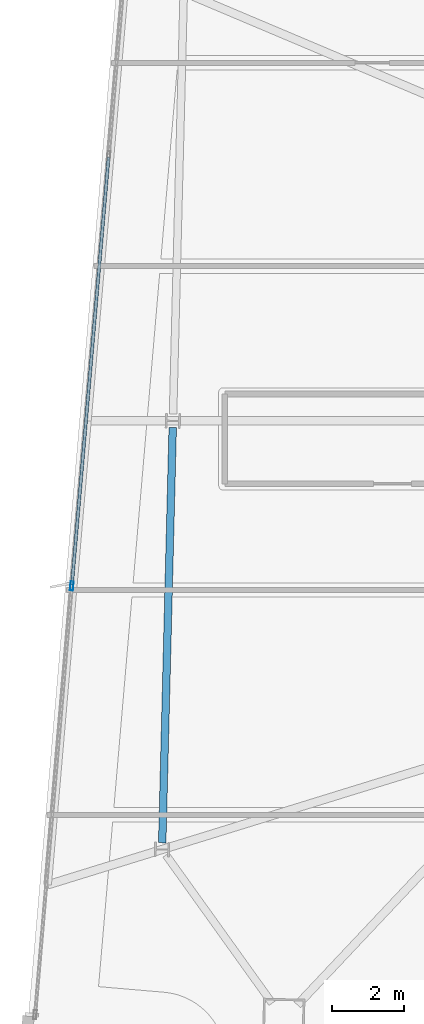
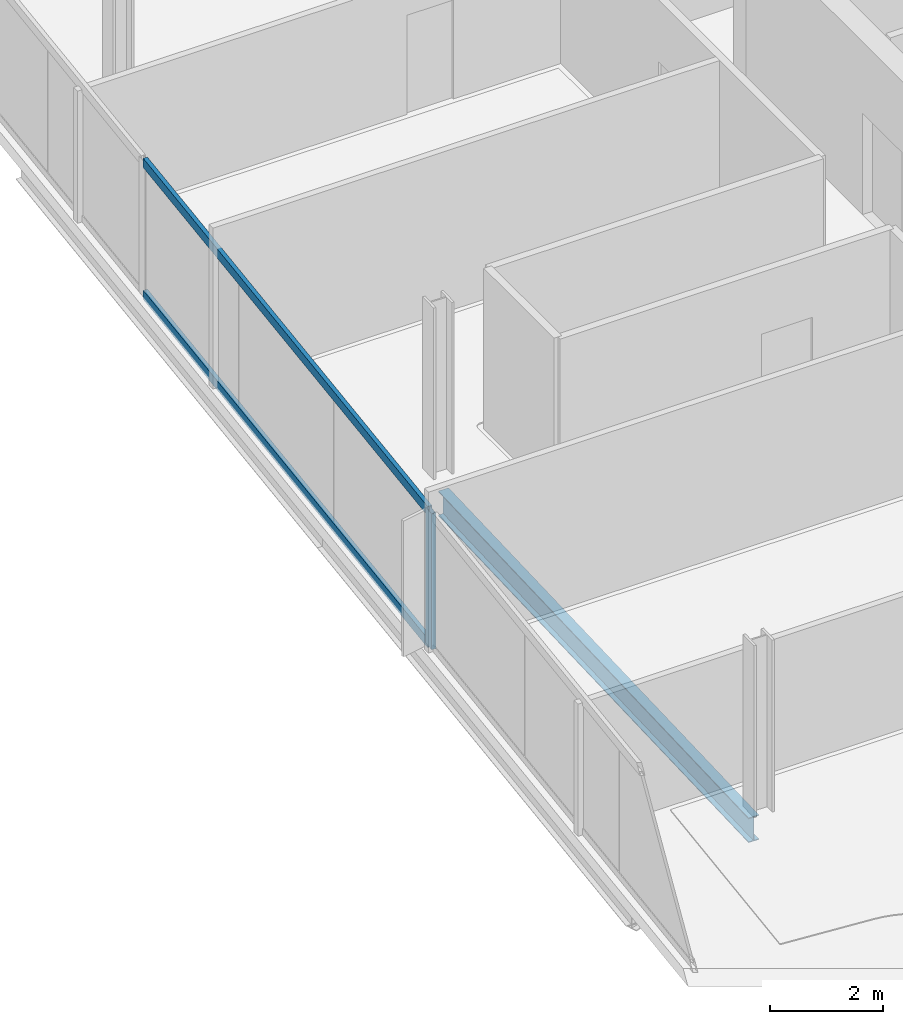
# One storey, part 6 of 24: 3 members, 1 beam, 1 element without a shape of its own.
"""IFC4 building model written with IfcOpenShell, lengths in metres."""

from ifc_helpers import new_model, si_unit, direction, frame, origin, origin_2d, place, context, subcontext, project, spatial, hollow_rectangle, i_section, extrude, material, material_profile, profile_set, type_object, element, aggregate, save


model = new_model("IFC4")

# Units and contexts
model_context = context("Model", 3, precision=1e-05, world=origin(), true_north=direction((0.0, 1.0)))
body_context = subcontext(model_context, "Body", "Model", "MODEL_VIEW")
ifc_project = project(units=[si_unit("LENGTHUNIT", "METRE"), si_unit("AREAUNIT", "SQUARE_METRE"), si_unit("VOLUMEUNIT", "CUBIC_METRE"), si_unit("PLANEANGLEUNIT", "RADIAN"), si_unit("MASSUNIT", "GRAM", prefix="KILO")], contexts=[model_context])

# Site, building, storey
site_placement = place(None, origin())
site = spatial("IfcSite", under=ifc_project, at=site_placement, CompositionType="ELEMENT")
building_placement = place(site_placement, origin())
building = spatial("IfcBuilding", under=site, at=building_placement, Name="Haldenkirk Collegiate Tower", CompositionType="ELEMENT")
storey_placement = place(building_placement, frame((0.0, 0.0, 313.949951171875)))
storey = spatial("IfcBuildingStorey", under=building, at=storey_placement, Name="L79", CompositionType="ELEMENT", Elevation=313.949951171875)

# Beam
ifc_material_1 = material(Name="Steel ASTM A992 Grade 50", Category="steel")
ifc_material_profile_1 = material_profile(ifc_material_1, i_section(OverallWidth=0.2099609375, OverallDepth=0.537109375, WebThickness=0.010986328125, FlangeThickness=0.017333984375, at=origin_2d()), Name="W21X68")
ifc_profile_set_1 = profile_set([ifc_material_profile_1], Name="Steel ASTM A992 Grade 50")
beam_type = type_object("IfcBeamType", Name="BM-SPANDREL-W21X68", PredefinedType="SPANDREL", material=ifc_profile_set_1)
beam_placement = place(storey_placement, frame((16.25146484375, 26.31201171875, -0.528564453125), z_axis=(-0.02528078186, -0.999680389959, 0.0), x_axis=(0.999680389959, -0.02528078186, 0.0)))
element("IfcBeam", 1, at=beam_placement, inside=storey, type_object=beam_type, Name="L79 perimeter spandrel beam 11", PredefinedType="SPANDREL", context=body_context, shape_type="SweptSolid", body=[
    extrude(i_section(OverallWidth=0.2099609375, OverallDepth=0.537109375, WebThickness=0.010986328125, FlangeThickness=0.017333984375, at=origin_2d()), origin(), (0.0, 0.0, 1.0), 11.540283203125),
])

# Curtain wall, members
ifc_material_2 = material(Name="Anodised architectural bronze aluminium", Category="aluminium")
curtain_wall_type = type_object("IfcCurtainWallType", Name="CW-SYS1B-CONVEX-HI", PredefinedType="USERDEFINED", material=ifc_material_2)
curtain_wall_placement = place(storey_placement, origin())
curtain_wall = element("IfcCurtainWall", 2, at=curtain_wall_placement, inside=storey, type_object=curtain_wall_type, Name="L79 Upper tower high-wind convex bronze unitised curtain wall", ObjectType="UNITISED CURTAIN WALL", PredefinedType="USERDEFINED")
ifc_material_profile_2 = material_profile(ifc_material_2, hollow_rectangle(XDim=0.0849609375, YDim=0.25, WallThickness=0.0048828125, at=origin_2d()), Name="CW-MUL-1B")
ifc_profile_set_2 = profile_set([ifc_material_profile_2], Name="Anodised architectural bronze aluminium")
member_type_1 = type_object("IfcMemberType", Name="CW-MUL-1B", PredefinedType="MULLION", material=ifc_profile_set_2)
member_1_placement = place(storey_placement, frame((13.4482421875, 21.911376953125, 0.0), z_axis=(0.0, 0.0, 1.0), x_axis=(-0.996345311804, 0.085416741017, 0.0)))
member_1 = element("IfcMember", 3, at=member_1_placement, type_object=member_type_1, Name="CW-1B mullion 2", PredefinedType="MULLION", context=body_context, shape_type="SweptSolid", body=[
    extrude(hollow_rectangle(XDim=0.0849609375, YDim=0.25, WallThickness=0.0048828125, at=origin_2d()), origin(), (0.0, 0.0, 1.0), 2.947998046875),
])
ifc_material_profile_3 = material_profile(ifc_material_2, hollow_rectangle(XDim=0.0849609375, YDim=0.199951171875, WallThickness=0.0048828125, at=origin_2d()), Name="CW-TRN-1B")
ifc_profile_set_3 = profile_set([ifc_material_profile_3], Name="Anodised architectural bronze aluminium")
member_type_2 = type_object("IfcMemberType", Name="CW-TRN-1B", PredefinedType="USERDEFINED", material=ifc_profile_set_3)
member_2_placement = place(storey_placement, frame((13.451904296875, 21.95361328125, 0.04248046875), z_axis=(0.085422644162, 0.99634480571, 0.0), x_axis=(-0.99634480571, 0.085422644162, 0.0)))
member_2 = element("IfcMember", 4, at=member_2_placement, type_object=member_type_2, Name="CW-1B transom 2.1", ObjectType="TRANSOM", PredefinedType="USERDEFINED", context=body_context, shape_type="SweptSolid", body=[
    extrude(hollow_rectangle(XDim=0.0849609375, YDim=0.199951171875, WallThickness=0.0048828125, at=origin_2d()), origin(), (0.0, 0.0, 1.0), 11.9150390625),
])
member_3_placement = place(storey_placement, frame((13.451904296875, 21.95361328125, 2.905517578125), z_axis=(0.085422644162, 0.99634480571, 0.0), x_axis=(-0.99634480571, 0.085422644162, 0.0)))
member_3 = element("IfcMember", 5, at=member_3_placement, type_object=member_type_2, Name="CW-1B transom 2.2", ObjectType="TRANSOM", PredefinedType="USERDEFINED", context=body_context, shape_type="SweptSolid", body=[
    extrude(hollow_rectangle(XDim=0.0849609375, YDim=0.199951171875, WallThickness=0.0048828125, at=origin_2d()), origin(), (0.0, 0.0, 1.0), 11.9150390625),
])
aggregate(curtain_wall, [member_1, member_2, member_3])

save(model, "model.ifc")
